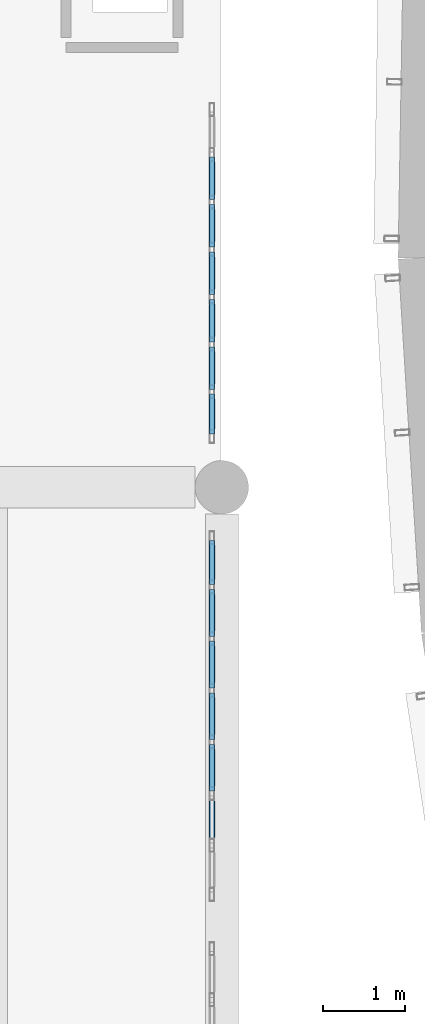
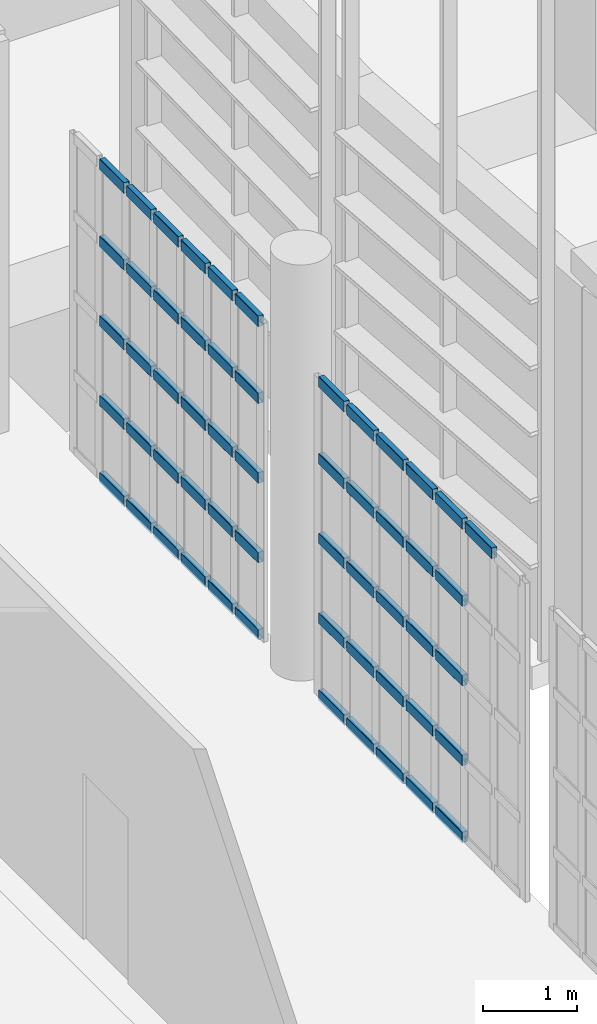
# One storey, part 303 of 372: 56 members, 2 elements without a shape of their own.
"""IFC4 building model written with IfcOpenShell, lengths in metres."""

from ifc_helpers import new_model, si_unit, direction, frame, origin, origin_2d, place, context, subcontext, project, spatial, hollow_rectangle, extrude, material, material_profile, profile_set, type_object, element, aggregate, save


model = new_model("IFC4")

# Units and contexts
model_context = context("Model", 3, precision=1e-05, world=origin(), true_north=direction((0.0, 1.0)))
body_context = subcontext(model_context, "Body", "Model", "MODEL_VIEW")
ifc_project = project(units=[si_unit("LENGTHUNIT", "METRE"), si_unit("AREAUNIT", "SQUARE_METRE"), si_unit("VOLUMEUNIT", "CUBIC_METRE"), si_unit("PLANEANGLEUNIT", "RADIAN"), si_unit("MASSUNIT", "GRAM", prefix="KILO")], contexts=[model_context])

# Site, building, storey
site_placement = place(None, origin())
site = spatial("IfcSite", under=ifc_project, at=site_placement, CompositionType="ELEMENT")
building_placement = place(site_placement, origin())
building = spatial("IfcBuilding", under=site, at=building_placement, Name="Kaelora Sail Theatre", CompositionType="ELEMENT")
storey_placement = place(building_placement, origin())
storey = spatial("IfcBuildingStorey", under=building, at=storey_placement, Name="L00", CompositionType="ELEMENT", Elevation=0.0)

# Curtain wall, members
ifc_material_1 = material(Name="Anodised aluminium and solar-control low-E IGU", Category="aluminium")
curtain_wall_type = type_object("IfcCurtainWallType", Name="ARC-CW-CW-FOY1", PredefinedType="NOTDEFINED", material=ifc_material_1)
curtain_wall_1_placement = place(storey_placement, origin())
curtain_wall_1 = element("IfcCurtainWall", 1, at=curtain_wall_1_placement, inside=storey, type_object=curtain_wall_type, Name="West Interstitial Foyer East Glazed Return L00-03", PredefinedType="NOTDEFINED")
ifc_material_2 = material(Name="Anodised aluminium 6063-T6", Category="aluminium")
ifc_material_profile = material_profile(ifc_material_2, hollow_rectangle(XDim=0.070068359375, YDim=0.139892578125, WallThickness=0.00390625, InnerFilletRadius=0.00390625, OuterFilletRadius=0.008056640625, at=origin_2d()), Name="ALU-TRAN 70x140x4")
ifc_profile_set = profile_set([ifc_material_profile], Name="Anodised aluminium 6063-T6")
member_type = type_object("IfcMemberType", Name="ARC-MEM-TR-140", PredefinedType="USERDEFINED", material=ifc_profile_set)
member_1_placement = place(storey_placement, frame((74.280029296875, 49.2578125, 4.10205078125), z_axis=(0.0, 1.0, 0.0), x_axis=(-1.0, 0.0, 0.0)))
member_1 = element("IfcMember", 2, at=member_1_placement, type_object=member_type, Name="CW-FOY1 transom 2.5", ObjectType="TRANSOM", PredefinedType="USERDEFINED", context=body_context, shape_type="SweptSolid", body=[
    extrude(hollow_rectangle(XDim=0.070068359375, YDim=0.139892578125, WallThickness=0.00390625, InnerFilletRadius=0.00390625, OuterFilletRadius=0.008056640625, at=origin_2d()), origin(), (0.0, 0.0, 1.0), 0.56787109375),
])
member_2_placement = place(storey_placement, frame((74.280029296875, 49.8857421875, 0.034912109375), z_axis=(0.0, 1.0, 0.0), x_axis=(-1.0, 0.0, 0.0)))
member_2 = element("IfcMember", 3, at=member_2_placement, type_object=member_type, Name="CW-FOY1 transom 3.1", ObjectType="TRANSOM", PredefinedType="USERDEFINED", context=body_context, shape_type="SweptSolid", body=[
    extrude(hollow_rectangle(XDim=0.070068359375, YDim=0.139892578125, WallThickness=0.00390625, InnerFilletRadius=0.00390625, OuterFilletRadius=0.008056640625, at=origin_2d()), origin(), (0.0, 0.0, 1.0), 0.56787109375),
])
member_3_placement = place(storey_placement, frame((74.280029296875, 49.8857421875, 1.0341796875), z_axis=(0.0, 1.0, 0.0), x_axis=(-1.0, 0.0, 0.0)))
member_3 = element("IfcMember", 4, at=member_3_placement, type_object=member_type, Name="CW-FOY1 transom 3.2", ObjectType="TRANSOM", PredefinedType="USERDEFINED", context=body_context, shape_type="SweptSolid", body=[
    extrude(hollow_rectangle(XDim=0.070068359375, YDim=0.139892578125, WallThickness=0.00390625, InnerFilletRadius=0.00390625, OuterFilletRadius=0.008056640625, at=origin_2d()), origin(), (0.0, 0.0, 1.0), 0.56787109375),
])
member_4_placement = place(storey_placement, frame((74.280029296875, 49.8857421875, 2.068603515625), z_axis=(0.0, 1.0, 0.0), x_axis=(-1.0, 0.0, 0.0)))
member_4 = element("IfcMember", 5, at=member_4_placement, type_object=member_type, Name="CW-FOY1 transom 3.3", ObjectType="TRANSOM", PredefinedType="USERDEFINED", context=body_context, shape_type="SweptSolid", body=[
    extrude(hollow_rectangle(XDim=0.070068359375, YDim=0.139892578125, WallThickness=0.00390625, InnerFilletRadius=0.00390625, OuterFilletRadius=0.008056640625, at=origin_2d()), origin(), (0.0, 0.0, 1.0), 0.56787109375),
])
member_5_placement = place(storey_placement, frame((74.280029296875, 49.8857421875, 3.102783203125), z_axis=(0.0, 1.0, 0.0), x_axis=(-1.0, 0.0, 0.0)))
member_5 = element("IfcMember", 6, at=member_5_placement, type_object=member_type, Name="CW-FOY1 transom 3.4", ObjectType="TRANSOM", PredefinedType="USERDEFINED", context=body_context, shape_type="SweptSolid", body=[
    extrude(hollow_rectangle(XDim=0.070068359375, YDim=0.139892578125, WallThickness=0.00390625, InnerFilletRadius=0.00390625, OuterFilletRadius=0.008056640625, at=origin_2d()), origin(), (0.0, 0.0, 1.0), 0.56787109375),
])
member_6_placement = place(storey_placement, frame((74.280029296875, 49.8857421875, 4.10205078125), z_axis=(0.0, 1.0, 0.0), x_axis=(-1.0, 0.0, 0.0)))
member_6 = element("IfcMember", 7, at=member_6_placement, type_object=member_type, Name="CW-FOY1 transom 3.5", ObjectType="TRANSOM", PredefinedType="USERDEFINED", context=body_context, shape_type="SweptSolid", body=[
    extrude(hollow_rectangle(XDim=0.070068359375, YDim=0.139892578125, WallThickness=0.00390625, InnerFilletRadius=0.00390625, OuterFilletRadius=0.008056640625, at=origin_2d()), origin(), (0.0, 0.0, 1.0), 0.56787109375),
])
member_7_placement = place(storey_placement, frame((74.280029296875, 50.513671875, 0.034912109375), z_axis=(0.0, 1.0, 0.0), x_axis=(-1.0, 0.0, 0.0)))
member_7 = element("IfcMember", 8, at=member_7_placement, type_object=member_type, Name="CW-FOY1 transom 4.1", ObjectType="TRANSOM", PredefinedType="USERDEFINED", context=body_context, shape_type="SweptSolid", body=[
    extrude(hollow_rectangle(XDim=0.070068359375, YDim=0.139892578125, WallThickness=0.00390625, InnerFilletRadius=0.00390625, OuterFilletRadius=0.008056640625, at=origin_2d()), origin(), (0.0, 0.0, 1.0), 0.56787109375),
])
member_8_placement = place(storey_placement, frame((74.280029296875, 50.513671875, 1.0341796875), z_axis=(0.0, 1.0, 0.0), x_axis=(-1.0, 0.0, 0.0)))
member_8 = element("IfcMember", 9, at=member_8_placement, type_object=member_type, Name="CW-FOY1 transom 4.2", ObjectType="TRANSOM", PredefinedType="USERDEFINED", context=body_context, shape_type="SweptSolid", body=[
    extrude(hollow_rectangle(XDim=0.070068359375, YDim=0.139892578125, WallThickness=0.00390625, InnerFilletRadius=0.00390625, OuterFilletRadius=0.008056640625, at=origin_2d()), origin(), (0.0, 0.0, 1.0), 0.56787109375),
])
member_9_placement = place(storey_placement, frame((74.280029296875, 50.513671875, 2.068603515625), z_axis=(0.0, 1.0, 0.0), x_axis=(-1.0, 0.0, 0.0)))
member_9 = element("IfcMember", 10, at=member_9_placement, type_object=member_type, Name="CW-FOY1 transom 4.3", ObjectType="TRANSOM", PredefinedType="USERDEFINED", context=body_context, shape_type="SweptSolid", body=[
    extrude(hollow_rectangle(XDim=0.070068359375, YDim=0.139892578125, WallThickness=0.00390625, InnerFilletRadius=0.00390625, OuterFilletRadius=0.008056640625, at=origin_2d()), origin(), (0.0, 0.0, 1.0), 0.56787109375),
])
member_10_placement = place(storey_placement, frame((74.280029296875, 50.513671875, 3.102783203125), z_axis=(0.0, 1.0, 0.0), x_axis=(-1.0, 0.0, 0.0)))
member_10 = element("IfcMember", 11, at=member_10_placement, type_object=member_type, Name="CW-FOY1 transom 4.4", ObjectType="TRANSOM", PredefinedType="USERDEFINED", context=body_context, shape_type="SweptSolid", body=[
    extrude(hollow_rectangle(XDim=0.070068359375, YDim=0.139892578125, WallThickness=0.00390625, InnerFilletRadius=0.00390625, OuterFilletRadius=0.008056640625, at=origin_2d()), origin(), (0.0, 0.0, 1.0), 0.56787109375),
])
member_11_placement = place(storey_placement, frame((74.280029296875, 50.513671875, 4.10205078125), z_axis=(0.0, 1.0, 0.0), x_axis=(-1.0, 0.0, 0.0)))
member_11 = element("IfcMember", 12, at=member_11_placement, type_object=member_type, Name="CW-FOY1 transom 4.5", ObjectType="TRANSOM", PredefinedType="USERDEFINED", context=body_context, shape_type="SweptSolid", body=[
    extrude(hollow_rectangle(XDim=0.070068359375, YDim=0.139892578125, WallThickness=0.00390625, InnerFilletRadius=0.00390625, OuterFilletRadius=0.008056640625, at=origin_2d()), origin(), (0.0, 0.0, 1.0), 0.56787109375),
])
member_12_placement = place(storey_placement, frame((74.280029296875, 51.141357421875, 0.034912109375), z_axis=(0.0, 1.0, 0.0), x_axis=(-1.0, 0.0, 0.0)))
member_12 = element("IfcMember", 13, at=member_12_placement, type_object=member_type, Name="CW-FOY1 transom 5.1", ObjectType="TRANSOM", PredefinedType="USERDEFINED", context=body_context, shape_type="SweptSolid", body=[
    extrude(hollow_rectangle(XDim=0.070068359375, YDim=0.139892578125, WallThickness=0.00390625, InnerFilletRadius=0.00390625, OuterFilletRadius=0.008056640625, at=origin_2d()), origin(), (0.0, 0.0, 1.0), 0.56787109375),
])
member_13_placement = place(storey_placement, frame((74.280029296875, 51.141357421875, 1.0341796875), z_axis=(0.0, 1.0, 0.0), x_axis=(-1.0, 0.0, 0.0)))
member_13 = element("IfcMember", 14, at=member_13_placement, type_object=member_type, Name="CW-FOY1 transom 5.2", ObjectType="TRANSOM", PredefinedType="USERDEFINED", context=body_context, shape_type="SweptSolid", body=[
    extrude(hollow_rectangle(XDim=0.070068359375, YDim=0.139892578125, WallThickness=0.00390625, InnerFilletRadius=0.00390625, OuterFilletRadius=0.008056640625, at=origin_2d()), origin(), (0.0, 0.0, 1.0), 0.56787109375),
])
member_14_placement = place(storey_placement, frame((74.280029296875, 51.141357421875, 2.068603515625), z_axis=(0.0, 1.0, 0.0), x_axis=(-1.0, 0.0, 0.0)))
member_14 = element("IfcMember", 15, at=member_14_placement, type_object=member_type, Name="CW-FOY1 transom 5.3", ObjectType="TRANSOM", PredefinedType="USERDEFINED", context=body_context, shape_type="SweptSolid", body=[
    extrude(hollow_rectangle(XDim=0.070068359375, YDim=0.139892578125, WallThickness=0.00390625, InnerFilletRadius=0.00390625, OuterFilletRadius=0.008056640625, at=origin_2d()), origin(), (0.0, 0.0, 1.0), 0.56787109375),
])
member_15_placement = place(storey_placement, frame((74.280029296875, 51.141357421875, 3.102783203125), z_axis=(0.0, 1.0, 0.0), x_axis=(-1.0, 0.0, 0.0)))
member_15 = element("IfcMember", 16, at=member_15_placement, type_object=member_type, Name="CW-FOY1 transom 5.4", ObjectType="TRANSOM", PredefinedType="USERDEFINED", context=body_context, shape_type="SweptSolid", body=[
    extrude(hollow_rectangle(XDim=0.070068359375, YDim=0.139892578125, WallThickness=0.00390625, InnerFilletRadius=0.00390625, OuterFilletRadius=0.008056640625, at=origin_2d()), origin(), (0.0, 0.0, 1.0), 0.56787109375),
])
member_16_placement = place(storey_placement, frame((74.280029296875, 51.141357421875, 4.10205078125), z_axis=(0.0, 1.0, 0.0), x_axis=(-1.0, 0.0, 0.0)))
member_16 = element("IfcMember", 17, at=member_16_placement, type_object=member_type, Name="CW-FOY1 transom 5.5", ObjectType="TRANSOM", PredefinedType="USERDEFINED", context=body_context, shape_type="SweptSolid", body=[
    extrude(hollow_rectangle(XDim=0.070068359375, YDim=0.139892578125, WallThickness=0.00390625, InnerFilletRadius=0.00390625, OuterFilletRadius=0.008056640625, at=origin_2d()), origin(), (0.0, 0.0, 1.0), 0.56787109375),
])
member_17_placement = place(storey_placement, frame((74.280029296875, 51.769287109375, 0.034912109375), z_axis=(0.0, 1.0, 0.0), x_axis=(-1.0, 0.0, 0.0)))
member_17 = element("IfcMember", 18, at=member_17_placement, type_object=member_type, Name="CW-FOY1 transom 6.1", ObjectType="TRANSOM", PredefinedType="USERDEFINED", context=body_context, shape_type="SweptSolid", body=[
    extrude(hollow_rectangle(XDim=0.070068359375, YDim=0.139892578125, WallThickness=0.00390625, InnerFilletRadius=0.00390625, OuterFilletRadius=0.008056640625, at=origin_2d()), origin(), (0.0, 0.0, 1.0), 0.56787109375),
])
member_18_placement = place(storey_placement, frame((74.280029296875, 51.769287109375, 1.0341796875), z_axis=(0.0, 1.0, 0.0), x_axis=(-1.0, 0.0, 0.0)))
member_18 = element("IfcMember", 19, at=member_18_placement, type_object=member_type, Name="CW-FOY1 transom 6.2", ObjectType="TRANSOM", PredefinedType="USERDEFINED", context=body_context, shape_type="SweptSolid", body=[
    extrude(hollow_rectangle(XDim=0.070068359375, YDim=0.139892578125, WallThickness=0.00390625, InnerFilletRadius=0.00390625, OuterFilletRadius=0.008056640625, at=origin_2d()), origin(), (0.0, 0.0, 1.0), 0.56787109375),
])
member_19_placement = place(storey_placement, frame((74.280029296875, 51.769287109375, 2.068603515625), z_axis=(0.0, 1.0, 0.0), x_axis=(-1.0, 0.0, 0.0)))
member_19 = element("IfcMember", 20, at=member_19_placement, type_object=member_type, Name="CW-FOY1 transom 6.3", ObjectType="TRANSOM", PredefinedType="USERDEFINED", context=body_context, shape_type="SweptSolid", body=[
    extrude(hollow_rectangle(XDim=0.070068359375, YDim=0.139892578125, WallThickness=0.00390625, InnerFilletRadius=0.00390625, OuterFilletRadius=0.008056640625, at=origin_2d()), origin(), (0.0, 0.0, 1.0), 0.56787109375),
])
member_20_placement = place(storey_placement, frame((74.280029296875, 51.769287109375, 3.102783203125), z_axis=(0.0, 1.0, 0.0), x_axis=(-1.0, 0.0, 0.0)))
member_20 = element("IfcMember", 21, at=member_20_placement, type_object=member_type, Name="CW-FOY1 transom 6.4", ObjectType="TRANSOM", PredefinedType="USERDEFINED", context=body_context, shape_type="SweptSolid", body=[
    extrude(hollow_rectangle(XDim=0.070068359375, YDim=0.139892578125, WallThickness=0.00390625, InnerFilletRadius=0.00390625, OuterFilletRadius=0.008056640625, at=origin_2d()), origin(), (0.0, 0.0, 1.0), 0.56787109375),
])
member_21_placement = place(storey_placement, frame((74.280029296875, 51.769287109375, 4.10205078125), z_axis=(0.0, 1.0, 0.0), x_axis=(-1.0, 0.0, 0.0)))
member_21 = element("IfcMember", 22, at=member_21_placement, type_object=member_type, Name="CW-FOY1 transom 6.5", ObjectType="TRANSOM", PredefinedType="USERDEFINED", context=body_context, shape_type="SweptSolid", body=[
    extrude(hollow_rectangle(XDim=0.070068359375, YDim=0.139892578125, WallThickness=0.00390625, InnerFilletRadius=0.00390625, OuterFilletRadius=0.008056640625, at=origin_2d()), origin(), (0.0, 0.0, 1.0), 0.56787109375),
])
member_22_placement = place(storey_placement, frame((74.280029296875, 52.397216796875, 0.034912109375), z_axis=(0.0, 1.0, 0.0), x_axis=(-1.0, 0.0, 0.0)))
member_22 = element("IfcMember", 23, at=member_22_placement, type_object=member_type, Name="CW-FOY1 transom 7.1", ObjectType="TRANSOM", PredefinedType="USERDEFINED", context=body_context, shape_type="SweptSolid", body=[
    extrude(hollow_rectangle(XDim=0.070068359375, YDim=0.139892578125, WallThickness=0.00390625, InnerFilletRadius=0.00390625, OuterFilletRadius=0.008056640625, at=origin_2d()), origin(), (0.0, 0.0, 1.0), 0.537841796875),
])
member_23_placement = place(storey_placement, frame((74.280029296875, 52.397216796875, 1.0341796875), z_axis=(0.0, 1.0, 0.0), x_axis=(-1.0, 0.0, 0.0)))
member_23 = element("IfcMember", 24, at=member_23_placement, type_object=member_type, Name="CW-FOY1 transom 7.2", ObjectType="TRANSOM", PredefinedType="USERDEFINED", context=body_context, shape_type="SweptSolid", body=[
    extrude(hollow_rectangle(XDim=0.070068359375, YDim=0.139892578125, WallThickness=0.00390625, InnerFilletRadius=0.00390625, OuterFilletRadius=0.008056640625, at=origin_2d()), origin(), (0.0, 0.0, 1.0), 0.537841796875),
])
member_24_placement = place(storey_placement, frame((74.280029296875, 52.397216796875, 2.068603515625), z_axis=(0.0, 1.0, 0.0), x_axis=(-1.0, 0.0, 0.0)))
member_24 = element("IfcMember", 25, at=member_24_placement, type_object=member_type, Name="CW-FOY1 transom 7.3", ObjectType="TRANSOM", PredefinedType="USERDEFINED", context=body_context, shape_type="SweptSolid", body=[
    extrude(hollow_rectangle(XDim=0.070068359375, YDim=0.139892578125, WallThickness=0.00390625, InnerFilletRadius=0.00390625, OuterFilletRadius=0.008056640625, at=origin_2d()), origin(), (0.0, 0.0, 1.0), 0.537841796875),
])
member_25_placement = place(storey_placement, frame((74.280029296875, 52.397216796875, 3.102783203125), z_axis=(0.0, 1.0, 0.0), x_axis=(-1.0, 0.0, 0.0)))
member_25 = element("IfcMember", 26, at=member_25_placement, type_object=member_type, Name="CW-FOY1 transom 7.4", ObjectType="TRANSOM", PredefinedType="USERDEFINED", context=body_context, shape_type="SweptSolid", body=[
    extrude(hollow_rectangle(XDim=0.070068359375, YDim=0.139892578125, WallThickness=0.00390625, InnerFilletRadius=0.00390625, OuterFilletRadius=0.008056640625, at=origin_2d()), origin(), (0.0, 0.0, 1.0), 0.537841796875),
])
member_26_placement = place(storey_placement, frame((74.280029296875, 52.397216796875, 4.10205078125), z_axis=(0.0, 1.0, 0.0), x_axis=(-1.0, 0.0, 0.0)))
member_26 = element("IfcMember", 27, at=member_26_placement, type_object=member_type, Name="CW-FOY1 transom 7.5", ObjectType="TRANSOM", PredefinedType="USERDEFINED", context=body_context, shape_type="SweptSolid", body=[
    extrude(hollow_rectangle(XDim=0.070068359375, YDim=0.139892578125, WallThickness=0.00390625, InnerFilletRadius=0.00390625, OuterFilletRadius=0.008056640625, at=origin_2d()), origin(), (0.0, 0.0, 1.0), 0.537841796875),
])
aggregate(curtain_wall_1, [member_1, member_2, member_3, member_4, member_5, member_6, member_7, member_8, member_9, member_10, member_11, member_12, member_13, member_14, member_15, member_16, member_17, member_18, member_19, member_20, member_21, member_22, member_23, member_24, member_25, member_26])

curtain_wall_2_placement = place(storey_placement, origin())
curtain_wall_2 = element("IfcCurtainWall", 28, at=curtain_wall_2_placement, inside=storey, type_object=curtain_wall_type, Name="West Interstitial Foyer East Glazed Return L00-04", PredefinedType="NOTDEFINED")
member_27_placement = place(storey_placement, frame((74.280029296875, 54.22509765625, 0.034912109375), z_axis=(0.0, 1.0, 0.0), x_axis=(-1.0, 0.0, 0.0)))
member_27 = element("IfcMember", 29, at=member_27_placement, type_object=member_type, Name="CW-FOY1 transom 1.1", ObjectType="TRANSOM", PredefinedType="USERDEFINED", context=body_context, shape_type="SweptSolid", body=[
    extrude(hollow_rectangle(XDim=0.070068359375, YDim=0.139892578125, WallThickness=0.00390625, InnerFilletRadius=0.00390625, OuterFilletRadius=0.008056640625, at=origin_2d()), origin(), (0.0, 0.0, 1.0), 0.486328125),
])
member_28_placement = place(storey_placement, frame((74.280029296875, 54.22509765625, 1.0341796875), z_axis=(0.0, 1.0, 0.0), x_axis=(-1.0, 0.0, 0.0)))
member_28 = element("IfcMember", 30, at=member_28_placement, type_object=member_type, Name="CW-FOY1 transom 1.2", ObjectType="TRANSOM", PredefinedType="USERDEFINED", context=body_context, shape_type="SweptSolid", body=[
    extrude(hollow_rectangle(XDim=0.070068359375, YDim=0.139892578125, WallThickness=0.00390625, InnerFilletRadius=0.00390625, OuterFilletRadius=0.008056640625, at=origin_2d()), origin(), (0.0, 0.0, 1.0), 0.486328125),
])
member_29_placement = place(storey_placement, frame((74.280029296875, 54.22509765625, 2.068603515625), z_axis=(0.0, 1.0, 0.0), x_axis=(-1.0, 0.0, 0.0)))
member_29 = element("IfcMember", 31, at=member_29_placement, type_object=member_type, Name="CW-FOY1 transom 1.3", ObjectType="TRANSOM", PredefinedType="USERDEFINED", context=body_context, shape_type="SweptSolid", body=[
    extrude(hollow_rectangle(XDim=0.070068359375, YDim=0.139892578125, WallThickness=0.00390625, InnerFilletRadius=0.00390625, OuterFilletRadius=0.008056640625, at=origin_2d()), origin(), (0.0, 0.0, 1.0), 0.486328125),
])
member_30_placement = place(storey_placement, frame((74.280029296875, 54.22509765625, 3.102783203125), z_axis=(0.0, 1.0, 0.0), x_axis=(-1.0, 0.0, 0.0)))
member_30 = element("IfcMember", 32, at=member_30_placement, type_object=member_type, Name="CW-FOY1 transom 1.4", ObjectType="TRANSOM", PredefinedType="USERDEFINED", context=body_context, shape_type="SweptSolid", body=[
    extrude(hollow_rectangle(XDim=0.070068359375, YDim=0.139892578125, WallThickness=0.00390625, InnerFilletRadius=0.00390625, OuterFilletRadius=0.008056640625, at=origin_2d()), origin(), (0.0, 0.0, 1.0), 0.486328125),
])
member_31_placement = place(storey_placement, frame((74.280029296875, 54.22509765625, 4.10205078125), z_axis=(0.0, 1.0, 0.0), x_axis=(-1.0, 0.0, 0.0)))
member_31 = element("IfcMember", 33, at=member_31_placement, type_object=member_type, Name="CW-FOY1 transom 1.5", ObjectType="TRANSOM", PredefinedType="USERDEFINED", context=body_context, shape_type="SweptSolid", body=[
    extrude(hollow_rectangle(XDim=0.070068359375, YDim=0.139892578125, WallThickness=0.00390625, InnerFilletRadius=0.00390625, OuterFilletRadius=0.008056640625, at=origin_2d()), origin(), (0.0, 0.0, 1.0), 0.486328125),
])
member_32_placement = place(storey_placement, frame((74.280029296875, 54.771484375, 0.034912109375), z_axis=(0.0, 1.0, 0.0), x_axis=(-1.0, 0.0, 0.0)))
member_32 = element("IfcMember", 34, at=member_32_placement, type_object=member_type, Name="CW-FOY1 transom 2.1", ObjectType="TRANSOM", PredefinedType="USERDEFINED", context=body_context, shape_type="SweptSolid", body=[
    extrude(hollow_rectangle(XDim=0.070068359375, YDim=0.139892578125, WallThickness=0.00390625, InnerFilletRadius=0.00390625, OuterFilletRadius=0.008056640625, at=origin_2d()), origin(), (0.0, 0.0, 1.0), 0.516357421875),
])
member_33_placement = place(storey_placement, frame((74.280029296875, 54.771484375, 1.0341796875), z_axis=(0.0, 1.0, 0.0), x_axis=(-1.0, 0.0, 0.0)))
member_33 = element("IfcMember", 35, at=member_33_placement, type_object=member_type, Name="CW-FOY1 transom 2.2", ObjectType="TRANSOM", PredefinedType="USERDEFINED", context=body_context, shape_type="SweptSolid", body=[
    extrude(hollow_rectangle(XDim=0.070068359375, YDim=0.139892578125, WallThickness=0.00390625, InnerFilletRadius=0.00390625, OuterFilletRadius=0.008056640625, at=origin_2d()), origin(), (0.0, 0.0, 1.0), 0.516357421875),
])
member_34_placement = place(storey_placement, frame((74.280029296875, 54.771484375, 2.068603515625), z_axis=(0.0, 1.0, 0.0), x_axis=(-1.0, 0.0, 0.0)))
member_34 = element("IfcMember", 36, at=member_34_placement, type_object=member_type, Name="CW-FOY1 transom 2.3", ObjectType="TRANSOM", PredefinedType="USERDEFINED", context=body_context, shape_type="SweptSolid", body=[
    extrude(hollow_rectangle(XDim=0.070068359375, YDim=0.139892578125, WallThickness=0.00390625, InnerFilletRadius=0.00390625, OuterFilletRadius=0.008056640625, at=origin_2d()), origin(), (0.0, 0.0, 1.0), 0.516357421875),
])
member_35_placement = place(storey_placement, frame((74.280029296875, 54.771484375, 3.102783203125), z_axis=(0.0, 1.0, 0.0), x_axis=(-1.0, 0.0, 0.0)))
member_35 = element("IfcMember", 37, at=member_35_placement, type_object=member_type, Name="CW-FOY1 transom 2.4", ObjectType="TRANSOM", PredefinedType="USERDEFINED", context=body_context, shape_type="SweptSolid", body=[
    extrude(hollow_rectangle(XDim=0.070068359375, YDim=0.139892578125, WallThickness=0.00390625, InnerFilletRadius=0.00390625, OuterFilletRadius=0.008056640625, at=origin_2d()), origin(), (0.0, 0.0, 1.0), 0.516357421875),
])
member_36_placement = place(storey_placement, frame((74.280029296875, 54.771484375, 4.10205078125), z_axis=(0.0, 1.0, 0.0), x_axis=(-1.0, 0.0, 0.0)))
member_36 = element("IfcMember", 38, at=member_36_placement, type_object=member_type, Name="CW-FOY1 transom 2.5", ObjectType="TRANSOM", PredefinedType="USERDEFINED", context=body_context, shape_type="SweptSolid", body=[
    extrude(hollow_rectangle(XDim=0.070068359375, YDim=0.139892578125, WallThickness=0.00390625, InnerFilletRadius=0.00390625, OuterFilletRadius=0.008056640625, at=origin_2d()), origin(), (0.0, 0.0, 1.0), 0.516357421875),
])
member_37_placement = place(storey_placement, frame((74.280029296875, 55.347900390625, 0.034912109375), z_axis=(0.0, 1.0, 0.0), x_axis=(-1.0, 0.0, 0.0)))
member_37 = element("IfcMember", 39, at=member_37_placement, type_object=member_type, Name="CW-FOY1 transom 3.1", ObjectType="TRANSOM", PredefinedType="USERDEFINED", context=body_context, shape_type="SweptSolid", body=[
    extrude(hollow_rectangle(XDim=0.070068359375, YDim=0.139892578125, WallThickness=0.00390625, InnerFilletRadius=0.00390625, OuterFilletRadius=0.008056640625, at=origin_2d()), origin(), (0.0, 0.0, 1.0), 0.516357421875),
])
member_38_placement = place(storey_placement, frame((74.280029296875, 55.347900390625, 1.0341796875), z_axis=(0.0, 1.0, 0.0), x_axis=(-1.0, 0.0, 0.0)))
member_38 = element("IfcMember", 40, at=member_38_placement, type_object=member_type, Name="CW-FOY1 transom 3.2", ObjectType="TRANSOM", PredefinedType="USERDEFINED", context=body_context, shape_type="SweptSolid", body=[
    extrude(hollow_rectangle(XDim=0.070068359375, YDim=0.139892578125, WallThickness=0.00390625, InnerFilletRadius=0.00390625, OuterFilletRadius=0.008056640625, at=origin_2d()), origin(), (0.0, 0.0, 1.0), 0.516357421875),
])
member_39_placement = place(storey_placement, frame((74.280029296875, 55.347900390625, 2.068603515625), z_axis=(0.0, 1.0, 0.0), x_axis=(-1.0, 0.0, 0.0)))
member_39 = element("IfcMember", 41, at=member_39_placement, type_object=member_type, Name="CW-FOY1 transom 3.3", ObjectType="TRANSOM", PredefinedType="USERDEFINED", context=body_context, shape_type="SweptSolid", body=[
    extrude(hollow_rectangle(XDim=0.070068359375, YDim=0.139892578125, WallThickness=0.00390625, InnerFilletRadius=0.00390625, OuterFilletRadius=0.008056640625, at=origin_2d()), origin(), (0.0, 0.0, 1.0), 0.516357421875),
])
member_40_placement = place(storey_placement, frame((74.280029296875, 55.347900390625, 3.102783203125), z_axis=(0.0, 1.0, 0.0), x_axis=(-1.0, 0.0, 0.0)))
member_40 = element("IfcMember", 42, at=member_40_placement, type_object=member_type, Name="CW-FOY1 transom 3.4", ObjectType="TRANSOM", PredefinedType="USERDEFINED", context=body_context, shape_type="SweptSolid", body=[
    extrude(hollow_rectangle(XDim=0.070068359375, YDim=0.139892578125, WallThickness=0.00390625, InnerFilletRadius=0.00390625, OuterFilletRadius=0.008056640625, at=origin_2d()), origin(), (0.0, 0.0, 1.0), 0.516357421875),
])
member_41_placement = place(storey_placement, frame((74.280029296875, 55.347900390625, 4.10205078125), z_axis=(0.0, 1.0, 0.0), x_axis=(-1.0, 0.0, 0.0)))
member_41 = element("IfcMember", 43, at=member_41_placement, type_object=member_type, Name="CW-FOY1 transom 3.5", ObjectType="TRANSOM", PredefinedType="USERDEFINED", context=body_context, shape_type="SweptSolid", body=[
    extrude(hollow_rectangle(XDim=0.070068359375, YDim=0.139892578125, WallThickness=0.00390625, InnerFilletRadius=0.00390625, OuterFilletRadius=0.008056640625, at=origin_2d()), origin(), (0.0, 0.0, 1.0), 0.516357421875),
])
member_42_placement = place(storey_placement, frame((74.280029296875, 55.92431640625, 0.034912109375), z_axis=(0.0, 1.0, 0.0), x_axis=(-1.0, 0.0, 0.0)))
member_42 = element("IfcMember", 44, at=member_42_placement, type_object=member_type, Name="CW-FOY1 transom 4.1", ObjectType="TRANSOM", PredefinedType="USERDEFINED", context=body_context, shape_type="SweptSolid", body=[
    extrude(hollow_rectangle(XDim=0.070068359375, YDim=0.139892578125, WallThickness=0.00390625, InnerFilletRadius=0.00390625, OuterFilletRadius=0.008056640625, at=origin_2d()), origin(), (0.0, 0.0, 1.0), 0.516357421875),
])
member_43_placement = place(storey_placement, frame((74.280029296875, 55.92431640625, 1.0341796875), z_axis=(0.0, 1.0, 0.0), x_axis=(-1.0, 0.0, 0.0)))
member_43 = element("IfcMember", 45, at=member_43_placement, type_object=member_type, Name="CW-FOY1 transom 4.2", ObjectType="TRANSOM", PredefinedType="USERDEFINED", context=body_context, shape_type="SweptSolid", body=[
    extrude(hollow_rectangle(XDim=0.070068359375, YDim=0.139892578125, WallThickness=0.00390625, InnerFilletRadius=0.00390625, OuterFilletRadius=0.008056640625, at=origin_2d()), origin(), (0.0, 0.0, 1.0), 0.516357421875),
])
member_44_placement = place(storey_placement, frame((74.280029296875, 55.92431640625, 2.068603515625), z_axis=(0.0, 1.0, 0.0), x_axis=(-1.0, 0.0, 0.0)))
member_44 = element("IfcMember", 46, at=member_44_placement, type_object=member_type, Name="CW-FOY1 transom 4.3", ObjectType="TRANSOM", PredefinedType="USERDEFINED", context=body_context, shape_type="SweptSolid", body=[
    extrude(hollow_rectangle(XDim=0.070068359375, YDim=0.139892578125, WallThickness=0.00390625, InnerFilletRadius=0.00390625, OuterFilletRadius=0.008056640625, at=origin_2d()), origin(), (0.0, 0.0, 1.0), 0.516357421875),
])
member_45_placement = place(storey_placement, frame((74.280029296875, 55.92431640625, 3.102783203125), z_axis=(0.0, 1.0, 0.0), x_axis=(-1.0, 0.0, 0.0)))
member_45 = element("IfcMember", 47, at=member_45_placement, type_object=member_type, Name="CW-FOY1 transom 4.4", ObjectType="TRANSOM", PredefinedType="USERDEFINED", context=body_context, shape_type="SweptSolid", body=[
    extrude(hollow_rectangle(XDim=0.070068359375, YDim=0.139892578125, WallThickness=0.00390625, InnerFilletRadius=0.00390625, OuterFilletRadius=0.008056640625, at=origin_2d()), origin(), (0.0, 0.0, 1.0), 0.516357421875),
])
member_46_placement = place(storey_placement, frame((74.280029296875, 55.92431640625, 4.10205078125), z_axis=(0.0, 1.0, 0.0), x_axis=(-1.0, 0.0, 0.0)))
member_46 = element("IfcMember", 48, at=member_46_placement, type_object=member_type, Name="CW-FOY1 transom 4.5", ObjectType="TRANSOM", PredefinedType="USERDEFINED", context=body_context, shape_type="SweptSolid", body=[
    extrude(hollow_rectangle(XDim=0.070068359375, YDim=0.139892578125, WallThickness=0.00390625, InnerFilletRadius=0.00390625, OuterFilletRadius=0.008056640625, at=origin_2d()), origin(), (0.0, 0.0, 1.0), 0.516357421875),
])
member_47_placement = place(storey_placement, frame((74.280029296875, 56.500732421875, 0.034912109375), z_axis=(0.0, 1.0, 0.0), x_axis=(-1.0, 0.0, 0.0)))
member_47 = element("IfcMember", 49, at=member_47_placement, type_object=member_type, Name="CW-FOY1 transom 5.1", ObjectType="TRANSOM", PredefinedType="USERDEFINED", context=body_context, shape_type="SweptSolid", body=[
    extrude(hollow_rectangle(XDim=0.070068359375, YDim=0.139892578125, WallThickness=0.00390625, InnerFilletRadius=0.00390625, OuterFilletRadius=0.008056640625, at=origin_2d()), origin(), (0.0, 0.0, 1.0), 0.516357421875),
])
member_48_placement = place(storey_placement, frame((74.280029296875, 56.500732421875, 1.0341796875), z_axis=(0.0, 1.0, 0.0), x_axis=(-1.0, 0.0, 0.0)))
member_48 = element("IfcMember", 50, at=member_48_placement, type_object=member_type, Name="CW-FOY1 transom 5.2", ObjectType="TRANSOM", PredefinedType="USERDEFINED", context=body_context, shape_type="SweptSolid", body=[
    extrude(hollow_rectangle(XDim=0.070068359375, YDim=0.139892578125, WallThickness=0.00390625, InnerFilletRadius=0.00390625, OuterFilletRadius=0.008056640625, at=origin_2d()), origin(), (0.0, 0.0, 1.0), 0.516357421875),
])
member_49_placement = place(storey_placement, frame((74.280029296875, 56.500732421875, 2.068603515625), z_axis=(0.0, 1.0, 0.0), x_axis=(-1.0, 0.0, 0.0)))
member_49 = element("IfcMember", 51, at=member_49_placement, type_object=member_type, Name="CW-FOY1 transom 5.3", ObjectType="TRANSOM", PredefinedType="USERDEFINED", context=body_context, shape_type="SweptSolid", body=[
    extrude(hollow_rectangle(XDim=0.070068359375, YDim=0.139892578125, WallThickness=0.00390625, InnerFilletRadius=0.00390625, OuterFilletRadius=0.008056640625, at=origin_2d()), origin(), (0.0, 0.0, 1.0), 0.516357421875),
])
member_50_placement = place(storey_placement, frame((74.280029296875, 56.500732421875, 3.102783203125), z_axis=(0.0, 1.0, 0.0), x_axis=(-1.0, 0.0, 0.0)))
member_50 = element("IfcMember", 52, at=member_50_placement, type_object=member_type, Name="CW-FOY1 transom 5.4", ObjectType="TRANSOM", PredefinedType="USERDEFINED", context=body_context, shape_type="SweptSolid", body=[
    extrude(hollow_rectangle(XDim=0.070068359375, YDim=0.139892578125, WallThickness=0.00390625, InnerFilletRadius=0.00390625, OuterFilletRadius=0.008056640625, at=origin_2d()), origin(), (0.0, 0.0, 1.0), 0.516357421875),
])
member_51_placement = place(storey_placement, frame((74.280029296875, 56.500732421875, 4.10205078125), z_axis=(0.0, 1.0, 0.0), x_axis=(-1.0, 0.0, 0.0)))
member_51 = element("IfcMember", 53, at=member_51_placement, type_object=member_type, Name="CW-FOY1 transom 5.5", ObjectType="TRANSOM", PredefinedType="USERDEFINED", context=body_context, shape_type="SweptSolid", body=[
    extrude(hollow_rectangle(XDim=0.070068359375, YDim=0.139892578125, WallThickness=0.00390625, InnerFilletRadius=0.00390625, OuterFilletRadius=0.008056640625, at=origin_2d()), origin(), (0.0, 0.0, 1.0), 0.516357421875),
])
member_52_placement = place(storey_placement, frame((74.280029296875, 57.0771484375, 0.034912109375), z_axis=(0.0, 1.0, 0.0), x_axis=(-1.0, 0.0, 0.0)))
member_52 = element("IfcMember", 54, at=member_52_placement, type_object=member_type, Name="CW-FOY1 transom 6.1", ObjectType="TRANSOM", PredefinedType="USERDEFINED", context=body_context, shape_type="SweptSolid", body=[
    extrude(hollow_rectangle(XDim=0.070068359375, YDim=0.139892578125, WallThickness=0.00390625, InnerFilletRadius=0.00390625, OuterFilletRadius=0.008056640625, at=origin_2d()), origin(), (0.0, 0.0, 1.0), 0.516357421875),
])
member_53_placement = place(storey_placement, frame((74.280029296875, 57.0771484375, 1.0341796875), z_axis=(0.0, 1.0, 0.0), x_axis=(-1.0, 0.0, 0.0)))
member_53 = element("IfcMember", 55, at=member_53_placement, type_object=member_type, Name="CW-FOY1 transom 6.2", ObjectType="TRANSOM", PredefinedType="USERDEFINED", context=body_context, shape_type="SweptSolid", body=[
    extrude(hollow_rectangle(XDim=0.070068359375, YDim=0.139892578125, WallThickness=0.00390625, InnerFilletRadius=0.00390625, OuterFilletRadius=0.008056640625, at=origin_2d()), origin(), (0.0, 0.0, 1.0), 0.516357421875),
])
member_54_placement = place(storey_placement, frame((74.280029296875, 57.0771484375, 2.068603515625), z_axis=(0.0, 1.0, 0.0), x_axis=(-1.0, 0.0, 0.0)))
member_54 = element("IfcMember", 56, at=member_54_placement, type_object=member_type, Name="CW-FOY1 transom 6.3", ObjectType="TRANSOM", PredefinedType="USERDEFINED", context=body_context, shape_type="SweptSolid", body=[
    extrude(hollow_rectangle(XDim=0.070068359375, YDim=0.139892578125, WallThickness=0.00390625, InnerFilletRadius=0.00390625, OuterFilletRadius=0.008056640625, at=origin_2d()), origin(), (0.0, 0.0, 1.0), 0.516357421875),
])
member_55_placement = place(storey_placement, frame((74.280029296875, 57.0771484375, 3.102783203125), z_axis=(0.0, 1.0, 0.0), x_axis=(-1.0, 0.0, 0.0)))
member_55 = element("IfcMember", 57, at=member_55_placement, type_object=member_type, Name="CW-FOY1 transom 6.4", ObjectType="TRANSOM", PredefinedType="USERDEFINED", context=body_context, shape_type="SweptSolid", body=[
    extrude(hollow_rectangle(XDim=0.070068359375, YDim=0.139892578125, WallThickness=0.00390625, InnerFilletRadius=0.00390625, OuterFilletRadius=0.008056640625, at=origin_2d()), origin(), (0.0, 0.0, 1.0), 0.516357421875),
])
member_56_placement = place(storey_placement, frame((74.280029296875, 57.0771484375, 4.10205078125), z_axis=(0.0, 1.0, 0.0), x_axis=(-1.0, 0.0, 0.0)))
member_56 = element("IfcMember", 58, at=member_56_placement, type_object=member_type, Name="CW-FOY1 transom 6.5", ObjectType="TRANSOM", PredefinedType="USERDEFINED", context=body_context, shape_type="SweptSolid", body=[
    extrude(hollow_rectangle(XDim=0.070068359375, YDim=0.139892578125, WallThickness=0.00390625, InnerFilletRadius=0.00390625, OuterFilletRadius=0.008056640625, at=origin_2d()), origin(), (0.0, 0.0, 1.0), 0.516357421875),
])
aggregate(curtain_wall_2, [member_27, member_28, member_29, member_30, member_31, member_32, member_33, member_34, member_35, member_36, member_37, member_38, member_39, member_40, member_41, member_42, member_43, member_44, member_45, member_46, member_47, member_48, member_49, member_50, member_51, member_52, member_53, member_54, member_55, member_56])

save(model, "model.ifc")
